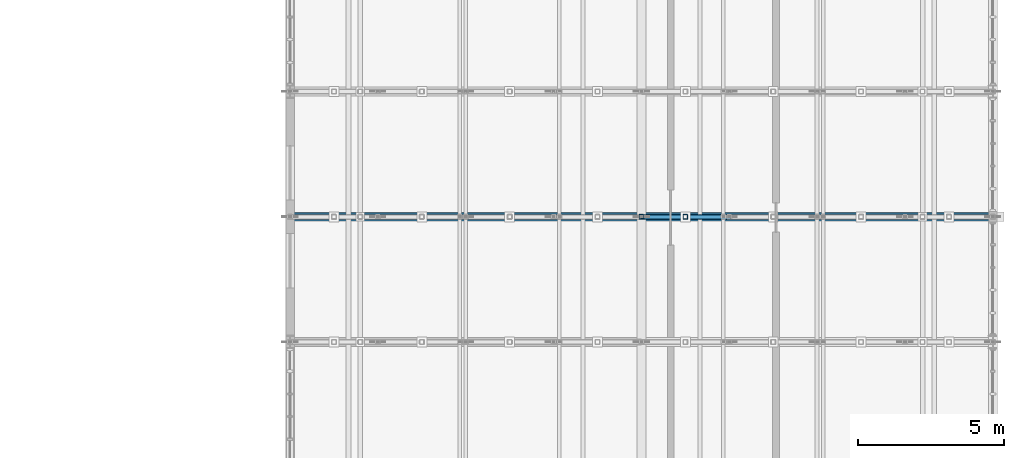
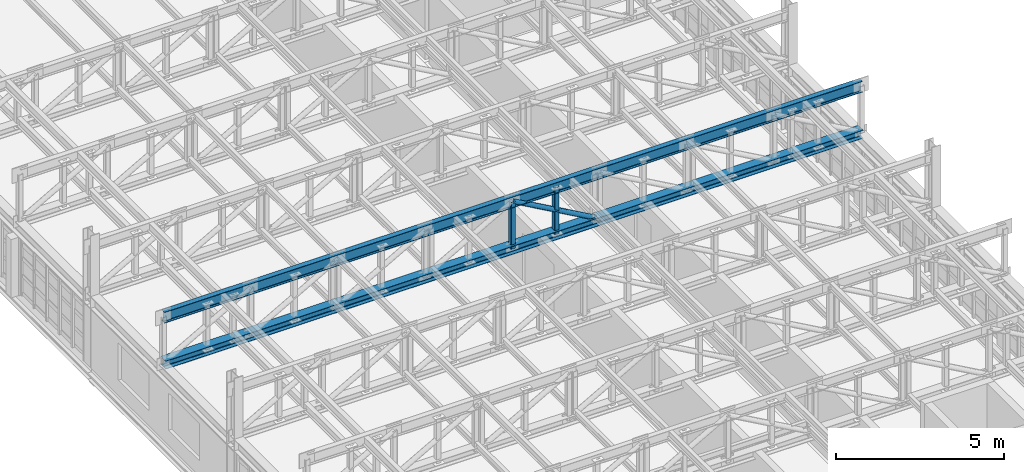
# One storey, part 42 of 128: 5 members.
"""IFC4 building model written with IfcOpenShell, lengths in metres."""

from ifc_helpers import new_model, si_unit, direction, frame, origin, origin_2d, place, context, subcontext, project, spatial, hollow_rectangle, hollow_circle, i_section, extrude, material, material_profile, profile_set, type_object, element, save


model = new_model("IFC4")

# Units and contexts
model_context = context("Model", 3, precision=1e-05, world=origin(), true_north=direction((0.0, 1.0)))
body_context = subcontext(model_context, "Body", "Model", "MODEL_VIEW")
ifc_project = project(units=[si_unit("LENGTHUNIT", "METRE"), si_unit("AREAUNIT", "SQUARE_METRE"), si_unit("VOLUMEUNIT", "CUBIC_METRE"), si_unit("PLANEANGLEUNIT", "RADIAN"), si_unit("MASSUNIT", "GRAM", prefix="KILO")], contexts=[model_context])

# Site, building, storey
site_placement = place(None, origin())
site = spatial("IfcSite", under=ifc_project, at=site_placement, CompositionType="ELEMENT")
building_placement = place(site_placement, origin())
building = spatial("IfcBuilding", under=site, at=building_placement, Name="Serraforn Aerial Cableway Station", CompositionType="ELEMENT")
storey_placement = place(building_placement, frame((0.0, 0.0, 9.0)))
storey = spatial("IfcBuildingStorey", under=building, at=storey_placement, Name="L02", CompositionType="ELEMENT", Elevation=9.0)

# Members
ifc_material = material(Name="Steel S355J2", Category="steel")
ifc_material_profile_1 = material_profile(ifc_material, i_section(OverallWidth=0.300048828125, OverallDepth=0.300048828125, WebThickness=0.008544921875, FlangeThickness=0.013916015625, FilletRadius=0.027099609375, at=origin_2d()), Name="HEA 300")
ifc_profile_set_1 = profile_set([ifc_material_profile_1], Name="Steel S355J2")
member_type_1 = type_object("IfcMemberType", Name="MEM-BC-HEA300", PredefinedType="CHORD", material=ifc_profile_set_1)
member_1_placement = place(storey_placement, frame((144.0, 75.52490234375, 2.60009765625), z_axis=(1.0, 0.0, 0.0), x_axis=(0.0, 1.0, 0.0)))
element("IfcMember", 1, at=member_1_placement, inside=storey, type_object=member_type_1, Name="Garage Truss GT-06 Bottom Chord", PredefinedType="CHORD", context=body_context, shape_type="SweptSolid", body=[
    extrude(i_section(OverallWidth=0.300048828125, OverallDepth=0.300048828125, WebThickness=0.008544921875, FlangeThickness=0.013916015625, FilletRadius=0.027099609375, at=origin_2d()), origin(), (0.0, 0.0, 1.0), 24.0),
])
ifc_material_profile_2 = material_profile(ifc_material, hollow_circle(Radius=0.084228515625, WallThickness=0.008056640625, at=origin_2d()), Name="CHS 168.3x8.0")
ifc_profile_set_2 = profile_set([ifc_material_profile_2], Name="Steel S355J2")
member_type_2 = type_object("IfcMemberType", Name="MEM-DG-CHS168", PredefinedType="BRACE", material=ifc_profile_set_2)
member_2_placement = place(storey_placement, frame((156.0, 75.52490234375, 4.2900390625), z_axis=(0.871272396707, 0.0, -0.490799766439), x_axis=(0.0, 1.0, 0.0)))
element("IfcMember", 2, at=member_2_placement, inside=storey, type_object=member_type_2, Name="Garage Truss GT-06 Diagonal 5", PredefinedType="BRACE", context=body_context, shape_type="SweptSolid", body=[
    extrude(hollow_circle(Radius=0.084228515625, WallThickness=0.008056640625, at=origin_2d()), origin(), (0.0, 0.0, 1.0), 3.443359375),
])
ifc_material_profile_3 = material_profile(ifc_material, i_section(OverallWidth=0.179931640625, OverallDepth=0.39990234375, WebThickness=0.008544921875, FlangeThickness=0.013427734375, FilletRadius=0.02099609375, at=origin_2d()), Name="IPE 400")
ifc_profile_set_3 = profile_set([ifc_material_profile_3], Name="Steel S355J2")
member_type_3 = type_object("IfcMemberType", Name="MEM-TC-IPE400", PredefinedType="CHORD", material=ifc_profile_set_3)
member_3_placement = place(storey_placement, frame((144.0, 75.52490234375, 4.2900390625), z_axis=(1.0, 0.0, 0.0), x_axis=(0.0, 1.0, 0.0)))
element("IfcMember", 3, at=member_3_placement, inside=storey, type_object=member_type_3, Name="Garage Truss GT-06 Top Chord", PredefinedType="CHORD", context=body_context, shape_type="SweptSolid", body=[
    extrude(i_section(OverallWidth=0.179931640625, OverallDepth=0.39990234375, WebThickness=0.008544921875, FlangeThickness=0.013427734375, FilletRadius=0.02099609375, at=origin_2d()), origin(), (0.0, 0.0, 1.0), 24.0),
])
ifc_material_profile_4 = material_profile(ifc_material, hollow_rectangle(XDim=0.159912109375, YDim=0.159912109375, WallThickness=0.008056640625, InnerFilletRadius=0.008056640625, OuterFilletRadius=0.01611328125, at=origin_2d()), Name="SHS 160x160x8.0")
ifc_profile_set_4 = profile_set([ifc_material_profile_4], Name="Steel S355J2")
member_type_4 = type_object("IfcMemberType", Name="MEM-VP-SHS160", PredefinedType="STRUT", material=ifc_profile_set_4)
for number, where, z_axis, x_axis, name in (
    (4, (156.0, 75.52490234375, 2.590087890625), (0.0, 0.0, 1.0), (1.0, 0.0, 0.0), "Garage Truss GT-06 Post 5"),
    (5, (157.5, 75.52490234375, 2.590087890625), (0.0, 0.0, 1.0), (1.0, 0.0, 0.0), "Garage Truss GT-06 Sub-Vertical 5"),
):
    element("IfcMember", number, at=place(storey_placement, frame(where, z_axis=z_axis, x_axis=x_axis)), inside=storey, type_object=member_type_4, Name=name, PredefinedType="STRUT", context=body_context, shape_type="SweptSolid", body=[
        extrude(hollow_rectangle(XDim=0.159912109375, YDim=0.159912109375, WallThickness=0.008056640625, InnerFilletRadius=0.008056640625, OuterFilletRadius=0.01611328125, at=origin_2d()), origin(), (0.0, 0.0, 1.0), 1.7099609375),
    ])

save(model, "model.ifc")
